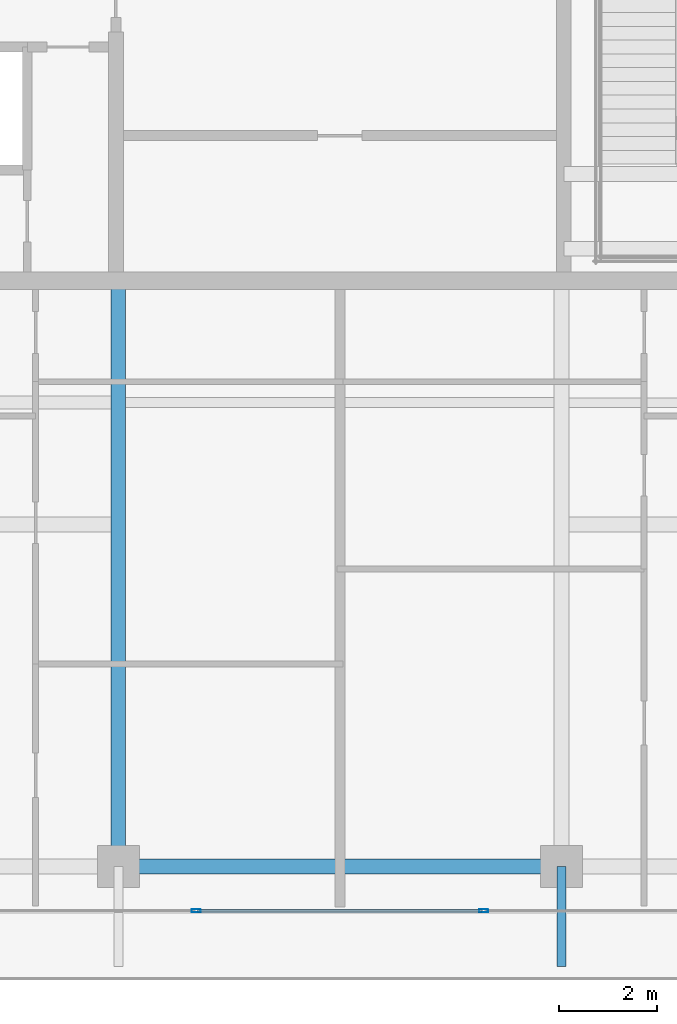
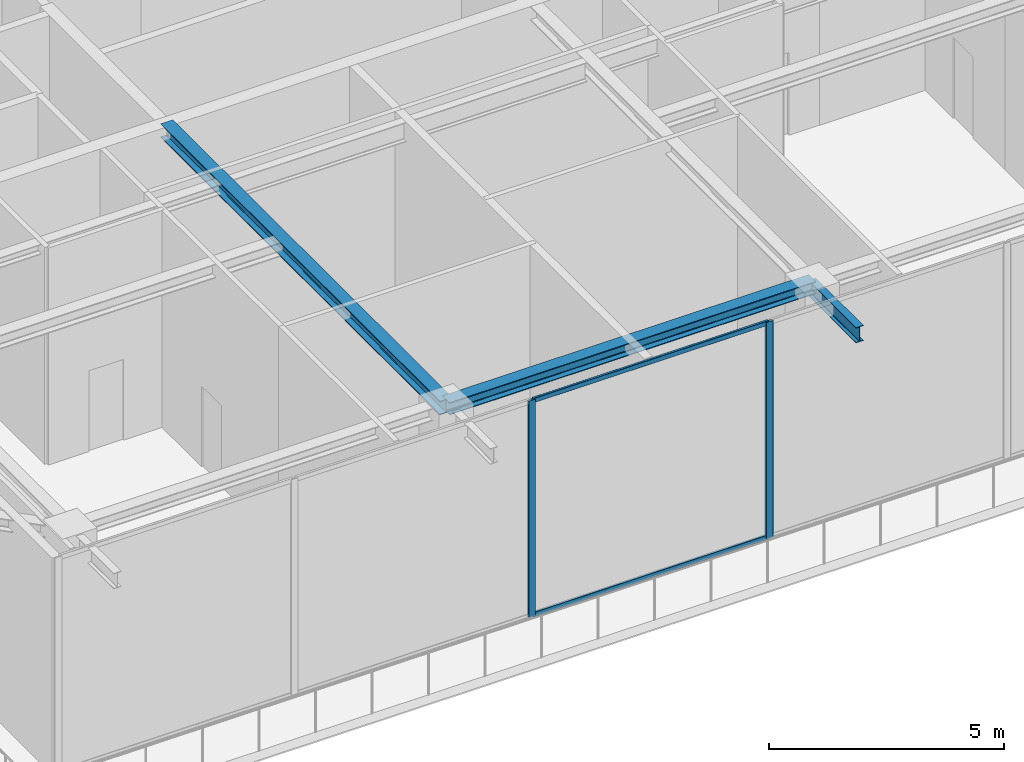
# One storey, part 6 of 40: 4 members, 3 beams, 1 element without a shape of its own.
"""IFC4 building model written with IfcOpenShell, lengths in metres."""

from ifc_helpers import new_model, si_unit, direction, frame, origin, origin_2d, place, context, subcontext, project, spatial, hollow_rectangle, i_section, extrude, source, transform, mapped, material, layer, layer_set, material_profile, profile_set, type_object, element, aggregate, save


model = new_model("IFC4")

# Units and contexts
model_context = context("Model", 3, precision=1e-05, world=origin(), true_north=direction((0.0, 1.0)))
body_context = subcontext(model_context, "Body", "Model", "MODEL_VIEW")
ifc_project = project(units=[si_unit("LENGTHUNIT", "METRE"), si_unit("AREAUNIT", "SQUARE_METRE"), si_unit("VOLUMEUNIT", "CUBIC_METRE"), si_unit("PLANEANGLEUNIT", "RADIAN"), si_unit("MASSUNIT", "GRAM", prefix="KILO")], contexts=[model_context])

# Site, building, storey
site_placement = place(None, origin())
site = spatial("IfcSite", under=ifc_project, at=site_placement, CompositionType="ELEMENT")
building_placement = place(site_placement, origin())
building = spatial("IfcBuilding", under=site, at=building_placement, Name="Serunith Strait Residences", CompositionType="ELEMENT")
storey_placement = place(building_placement, frame((0.0, 0.0, 347.949951171875)))
storey = spatial("IfcBuildingStorey", under=building, at=storey_placement, Name="L86", CompositionType="ELEMENT", Elevation=347.949951171875)

# Beams
ifc_material_1 = material(Name="Steel S355J2", Category="steel")
ifc_material_profile_1 = material_profile(ifc_material_1, i_section(OverallWidth=0.300048828125, OverallDepth=0.360107421875, WebThickness=0.012451171875, FlangeThickness=0.0224609375, FilletRadius=0.027099609375, at=origin_2d()), Name="HEB 360")
ifc_profile_set_1 = profile_set([ifc_material_profile_1], Name="Steel S355J2")
beam_type_1 = type_object("IfcBeamType", Name="BM-HEB360", PredefinedType="BEAM", material=ifc_profile_set_1)
shared_shape_1 = source(origin(), body_context, "Body", "SweptSolid", [
    extrude(i_section(OverallWidth=0.300048828125, OverallDepth=0.360107421875, WebThickness=0.012451171875, FlangeThickness=0.0224609375, FilletRadius=0.027099609375, at=origin_2d()), origin(), (0.0, 0.0, 1.0), 11.900146484375),
])
beam_1_placement = place(storey_placement, frame((27.89990234375, 16.800048828125, 5.45703125), z_axis=(0.0, -1.0, 0.0), x_axis=(1.0, 0.0, 0.0)))
element("IfcBeam", 1, at=beam_1_placement, inside=storey, type_object=beam_type_1, Name="L86 Primary Floor Girder TC-S2", PredefinedType="BEAM", context=body_context, shape_type="MappedRepresentation", body=[
    mapped(shared_shape_1, transform((0.0, 0.0, 0.0), scale=1.0)),
])
ifc_material_profile_2 = material_profile(ifc_material_1, i_section(OverallWidth=0.300048828125, OverallDepth=0.320068359375, WebThickness=0.011474609375, FlangeThickness=0.0205078125, FilletRadius=0.027099609375, at=origin_2d()), Name="HEB 320")
ifc_profile_set_2 = profile_set([ifc_material_profile_2], Name="Steel S355J2")
beam_type_2 = type_object("IfcBeamType", Name="BM-HEB320", PredefinedType="BEAM", material=ifc_profile_set_2)
shared_shape_2 = source(origin(), body_context, "Body", "SweptSolid", [
    extrude(i_section(OverallWidth=0.300048828125, OverallDepth=0.320068359375, WebThickness=0.011474609375, FlangeThickness=0.0205078125, FilletRadius=0.027099609375, at=origin_2d()), origin(), (0.0, 0.0, 1.0), 9.0),
])
beam_2_placement = place(storey_placement, frame((27.89990234375, 4.89990234375, 5.47705078125), z_axis=(1.0, 0.0, 0.0), x_axis=(0.0, 1.0, 0.0)))
element("IfcBeam", 2, at=beam_2_placement, inside=storey, type_object=beam_type_2, Name="L86 Perimeter Ring Beam 02", PredefinedType="BEAM", context=body_context, shape_type="MappedRepresentation", body=[
    mapped(shared_shape_2, transform((0.0, 0.0, 0.0), scale=1.0)),
])
ifc_material_profile_3 = material_profile(ifc_material_1, i_section(OverallWidth=0.179931640625, OverallDepth=0.39990234375, WebThickness=0.008544921875, FlangeThickness=0.013427734375, FilletRadius=0.02099609375, at=origin_2d()), Name="IPE 400")
ifc_profile_set_3 = profile_set([ifc_material_profile_3], Name="Steel S355J2")
beam_type_3 = type_object("IfcBeamType", Name="BM-IPE400", PredefinedType="JOIST", material=ifc_profile_set_3)
shared_shape_3 = source(origin(), body_context, "Body", "SweptSolid", [
    extrude(i_section(OverallWidth=0.179931640625, OverallDepth=0.39990234375, WebThickness=0.008544921875, FlangeThickness=0.013427734375, FilletRadius=0.02099609375, at=origin_2d()), origin(), (0.0, 0.0, 1.0), 2.02978515625),
])
beam_3_placement = place(storey_placement, frame((36.89990234375, 4.89990234375, 5.406982421875), z_axis=(0.0, -1.0, 0.0), x_axis=(1.0, 0.0, 0.0)))
element("IfcBeam", 3, at=beam_3_placement, inside=storey, type_object=beam_type_3, Name="L87 Cantilevered Balcony Rib TC-S3", PredefinedType="JOIST", context=body_context, shape_type="MappedRepresentation", body=[
    mapped(shared_shape_3, transform((0.0, 0.0, 0.0), scale=1.0)),
])

# Curtain wall, members
ifc_material_2 = material(Name="Brushed Stainless-Silver Aluminium", Category="aluminium")
ifc_layer = layer(ifc_material_2, 0.199951171875, Name="Brushed Stainless-Silver Aluminium")
ifc_layer_set = layer_set([ifc_layer], Name="Brushed Stainless-Silver Aluminium")
curtain_wall_type = type_object("IfcCurtainWallType", Name="CW-SYS5", PredefinedType="NOTDEFINED", material=ifc_layer_set)
curtain_wall_placement = place(storey_placement, origin())
curtain_wall = element("IfcCurtainWall", 4, at=curtain_wall_placement, inside=storey, type_object=curtain_wall_type, Name="L86 S Unitised Fritted Curtain Wall", PredefinedType="NOTDEFINED")
ifc_material_profile_4 = material_profile(ifc_material_2, hollow_rectangle(XDim=0.06005859375, YDim=0.1201171875, WallThickness=0.00341796875, InnerFilletRadius=0.00537109375, OuterFilletRadius=0.0087890625, at=origin_2d()), Name="ALU 120x60x3.5")
ifc_profile_set_4 = profile_set([ifc_material_profile_4], Name="Brushed Stainless-Silver Aluminium")
member_type_1 = type_object("IfcMemberType", Name="CW-SYS5-TRAN", PredefinedType="USERDEFINED", material=ifc_profile_set_4)
shared_shape_4 = source(origin(), body_context, "Body", "SweptSolid", [
    extrude(hollow_rectangle(XDim=0.06005859375, YDim=0.1201171875, WallThickness=0.00341796875, InnerFilletRadius=0.00537109375, OuterFilletRadius=0.0087890625, at=origin_2d()), origin(), (0.0, 0.0, 1.0), 5.775146484375),
])
member_1_placement = place(storey_placement, frame((29.512451171875, 4.0, 0.030029296875), z_axis=(1.0, 0.0, 0.0), x_axis=(0.0, 1.0, 0.0)))
member_1 = element("IfcMember", 5, at=member_1_placement, type_object=member_type_1, Name="CW-5 transom 3.1", ObjectType="TRANSOM", PredefinedType="USERDEFINED", context=body_context, shape_type="MappedRepresentation", body=[
    mapped(shared_shape_4, transform((0.0, 0.0, 0.0), scale=1.0)),
])
member_2_placement = place(storey_placement, frame((29.512451171875, 4.0, 5.594970703125), z_axis=(1.0, 0.0, 0.0), x_axis=(0.0, 1.0, 0.0)))
member_2 = element("IfcMember", 6, at=member_2_placement, type_object=member_type_1, Name="CW-5 transom 3.2", ObjectType="TRANSOM", PredefinedType="USERDEFINED", context=body_context, shape_type="MappedRepresentation", body=[
    mapped(shared_shape_4, transform((0.0, 0.0, 0.0), scale=1.0)),
])
ifc_material_profile_5 = material_profile(ifc_material_2, hollow_rectangle(XDim=0.06494140625, YDim=0.179931640625, WallThickness=0.00341796875, InnerFilletRadius=0.00537109375, OuterFilletRadius=0.0087890625, at=origin_2d()), Name="ALU 180x65x3.5")
ifc_profile_set_5 = profile_set([ifc_material_profile_5], Name="Brushed Stainless-Silver Aluminium")
member_type_2 = type_object("IfcMemberType", Name="CW-SYS5-MULL", PredefinedType="MULLION", material=ifc_profile_set_5)
shared_shape_5 = source(origin(), body_context, "Body", "SweptSolid", [
    extrude(hollow_rectangle(XDim=0.06494140625, YDim=0.179931640625, WallThickness=0.00341796875, InnerFilletRadius=0.00537109375, OuterFilletRadius=0.0087890625, at=origin_2d()), origin(), (0.0, 0.0, 1.0), 5.625),
])
member_3_placement = place(storey_placement, frame((29.47998046875, 4.0, 0.0), z_axis=(0.0, 0.0, 1.0), x_axis=(0.0, 1.0, 0.0)))
member_3 = element("IfcMember", 7, at=member_3_placement, type_object=member_type_2, Name="CW-5 mullion 3", PredefinedType="MULLION", context=body_context, shape_type="MappedRepresentation", body=[
    mapped(shared_shape_5, transform((0.0, 0.0, 0.0), scale=1.0)),
])
member_4_placement = place(storey_placement, frame((35.320068359375, 4.0, 0.0), z_axis=(0.0, 0.0, 1.0), x_axis=(0.0, 1.0, 0.0)))
member_4 = element("IfcMember", 8, at=member_4_placement, type_object=member_type_2, Name="CW-5 mullion 4", PredefinedType="MULLION", context=body_context, shape_type="MappedRepresentation", body=[
    mapped(shared_shape_5, transform((0.0, 0.0, 0.0), scale=1.0)),
])
aggregate(curtain_wall, [member_3, member_4, member_1, member_2])

save(model, "model.ifc")
